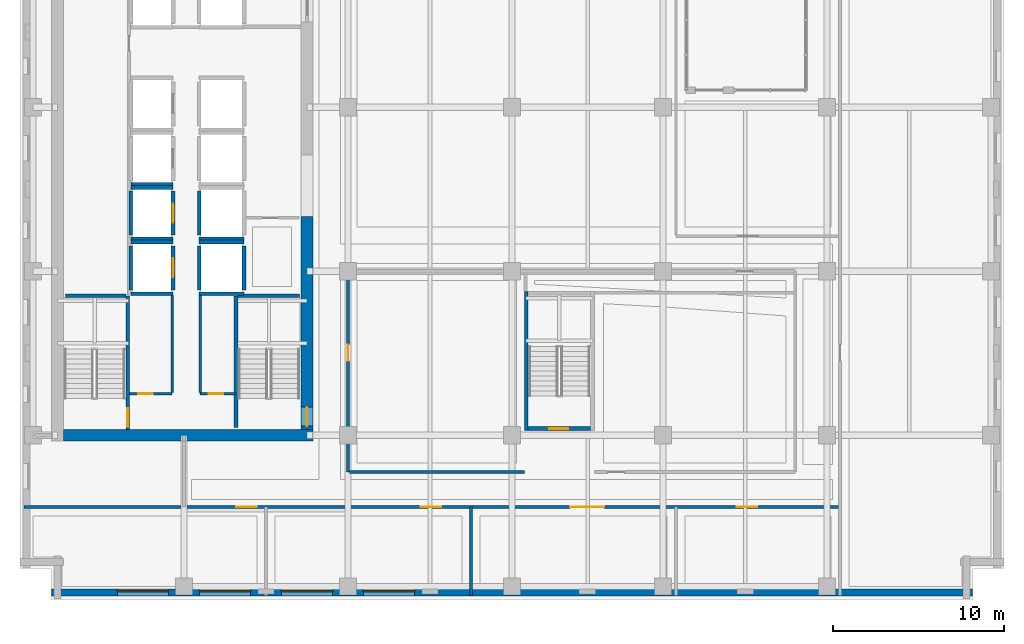
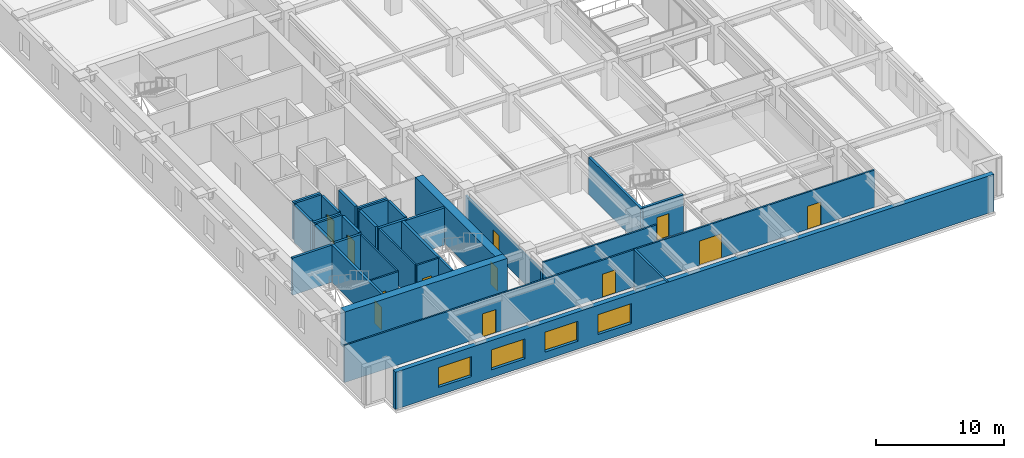
# One storey, part 4 of 16: 32 walls, 12 doors, 4 windows, 16 openings.
"""IFC4 building model written with IfcOpenShell, lengths in metres."""

from ifc_helpers import new_model, si_unit, direction, frame, frame_2d, origin, place, context, subcontext, project, spatial, rectangle, extrude, material, layer, layer_set, type_object, element, fill, save


model = new_model("IFC4")

# Units and contexts
model_context = context("Model", 3, precision=1e-05, world=origin(), true_north=direction((0.0, 1.0)))
body_context = subcontext(model_context, "Body", "Model", "MODEL_VIEW")
ifc_project = project(units=[si_unit("LENGTHUNIT", "METRE"), si_unit("AREAUNIT", "SQUARE_METRE"), si_unit("VOLUMEUNIT", "CUBIC_METRE"), si_unit("PLANEANGLEUNIT", "RADIAN"), si_unit("MASSUNIT", "GRAM", prefix="KILO")], contexts=[model_context])

# Site, building, storey
site_placement = place(None, origin())
site = spatial("IfcSite", under=ifc_project, at=site_placement, CompositionType="ELEMENT")
building_placement = place(site_placement, origin())
building = spatial("IfcBuilding", under=site, at=building_placement, Name="Norrvale University Quadrangle", CompositionType="ELEMENT")
storey_placement = place(building_placement, frame((0.0, 0.0, 112.800048828125)))
storey = spatial("IfcBuildingStorey", under=building, at=storey_placement, Name="L28", CompositionType="ELEMENT", Elevation=112.800048828125)

# Wall, openings, windows
ifc_material_1 = material(Name="Buff Norman Clay Brick Masonry", Category="masonry")
ifc_layer_1 = layer(ifc_material_1, 0.419921875, Name="Buff Norman Clay Brick Masonry")
ifc_layer_set_1 = layer_set([ifc_layer_1], Name="Buff Norman Clay Brick Masonry")
wall_type_1 = type_object("IfcWallType", Name="Wall Buff Brick 420", PredefinedType="SOLIDWALL", material=ifc_layer_set_1)
wall_1_placement = place(storey_placement, frame((1.840087890625, 0.389892578125, 0.0), z_axis=(0.0, 0.0, 1.0), x_axis=(1.0, 0.0, 0.0)))
wall_1 = element("IfcWall", 1, at=wall_1_placement, inside=storey, type_object=wall_type_1, Name="Exterior Brick Facade Wall L28-01.1", PredefinedType="SOLIDWALL", context=body_context, shape_type="SweptSolid", body=[
    extrude(rectangle(XDim=53.919921875, YDim=0.419921875, at=frame_2d((26.9599609375, 0.0))), origin(), (0.0, 0.0, 1.0), 3.5400390625),
])
opening_1_placement = place(wall_1_placement, frame((3.860107421875, 0.0, 0.75)))
opening_1 = element("IfcOpeningElement", 2, at=opening_1_placement, cuts=wall_1, Name="Opening W08", PredefinedType="OPENING", context=body_context, shape_type="SweptSolid", body=[
    extrude(rectangle(XDim=3.0, YDim=1.89990234375, at=frame_2d((1.5, 0.949951171875))), frame((0.0, 0.221923828125, 0.0), z_axis=(0.0, -1.0, 0.0), x_axis=(1.0, 0.0, 0.0)), (0.0, 0.0, 1.0), 0.44384765625),
])
opening_2_placement = place(wall_1_placement, frame((8.659912109375, 0.0, 0.75)))
opening_2 = element("IfcOpeningElement", 3, at=opening_2_placement, cuts=wall_1, Name="Opening W08", PredefinedType="OPENING", context=body_context, shape_type="SweptSolid", body=[
    extrude(rectangle(XDim=3.0, YDim=1.89990234375, at=frame_2d((1.5, 0.949951171875))), frame((0.0, 0.221923828125, 0.0), z_axis=(0.0, -1.0, 0.0), x_axis=(1.0, 0.0, 0.0)), (0.0, 0.0, 1.0), 0.44384765625),
])
opening_3_placement = place(wall_1_placement, frame((13.4599609375, 0.0, 0.75)))
opening_3 = element("IfcOpeningElement", 4, at=opening_3_placement, cuts=wall_1, Name="Opening W08", PredefinedType="OPENING", context=body_context, shape_type="SweptSolid", body=[
    extrude(rectangle(XDim=3.0, YDim=1.89990234375, at=frame_2d((1.5, 0.949951171875))), frame((0.0, 0.221923828125, 0.0), z_axis=(0.0, -1.0, 0.0), x_axis=(1.0, 0.0, 0.0)), (0.0, 0.0, 1.0), 0.44384765625),
])
opening_4_placement = place(wall_1_placement, frame((18.260009765625, 0.0, 0.75)))
opening_4 = element("IfcOpeningElement", 5, at=opening_4_placement, cuts=wall_1, Name="Opening W08", PredefinedType="OPENING", context=body_context, shape_type="SweptSolid", body=[
    extrude(rectangle(XDim=3.0, YDim=1.89990234375, at=frame_2d((1.5, 0.949951171875))), frame((0.0, 0.221923828125, 0.0), z_axis=(0.0, -1.0, 0.0), x_axis=(1.0, 0.0, 0.0)), (0.0, 0.0, 1.0), 0.44384765625),
])
ifc_material_2 = material(Name="Triple Low-E Argon Glazing", Category="glass")
window_type = type_object("IfcWindowType", Name="Window Lounge 3000x2500", PartitioningType="TRIPLE_PANEL_VERTICAL", PredefinedType="WINDOW", material=ifc_material_2)
window_1_placement = place(opening_1_placement, origin())
window_1 = element("IfcWindow", 6, at=window_1_placement, inside=storey, type_object=window_type, Name="Window Lounge 3000x2500 WIN-L28-E01-1-01", OverallHeight=1.89990234375, OverallWidth=3.0, PartitioningType="TRIPLE_PANEL_VERTICAL", PredefinedType="WINDOW", context=body_context, shape_type="SweptSolid", body=[
    extrude(rectangle(XDim=3.0, YDim=1.89990234375, at=frame_2d((1.5, 0.949951171875))), frame((0.0, 0.110107421875, 0.0), z_axis=(0.0, -1.0, 0.0), x_axis=(1.0, 0.0, 0.0)), (0.0, 0.0, 1.0), 0.06005859375),
])
fill(opening_1, window_1)
window_2_placement = place(opening_2_placement, origin())
window_2 = element("IfcWindow", 7, at=window_2_placement, inside=storey, type_object=window_type, Name="Window Lounge 3000x2500 WIN-L28-E01-1-02", OverallHeight=1.89990234375, OverallWidth=3.0, PartitioningType="TRIPLE_PANEL_VERTICAL", PredefinedType="WINDOW", context=body_context, shape_type="SweptSolid", body=[
    extrude(rectangle(XDim=3.0, YDim=1.89990234375, at=frame_2d((1.5, 0.949951171875))), frame((0.0, 0.110107421875, 0.0), z_axis=(0.0, -1.0, 0.0), x_axis=(1.0, 0.0, 0.0)), (0.0, 0.0, 1.0), 0.06005859375),
])
fill(opening_2, window_2)
window_3_placement = place(opening_3_placement, origin())
window_3 = element("IfcWindow", 8, at=window_3_placement, inside=storey, type_object=window_type, Name="Window Lounge 3000x2500 WIN-L28-E01-1-03", OverallHeight=1.89990234375, OverallWidth=3.0, PartitioningType="TRIPLE_PANEL_VERTICAL", PredefinedType="WINDOW", context=body_context, shape_type="SweptSolid", body=[
    extrude(rectangle(XDim=3.0, YDim=1.89990234375, at=frame_2d((1.5, 0.949951171875))), frame((0.0, 0.110107421875, 0.0), z_axis=(0.0, -1.0, 0.0), x_axis=(1.0, 0.0, 0.0)), (0.0, 0.0, 1.0), 0.06005859375),
])
fill(opening_3, window_3)
window_4_placement = place(opening_4_placement, origin())
window_4 = element("IfcWindow", 9, at=window_4_placement, inside=storey, type_object=window_type, Name="Window Lounge 3000x2500 WIN-L28-E01-1-04", OverallHeight=1.89990234375, OverallWidth=3.0, PartitioningType="TRIPLE_PANEL_VERTICAL", PredefinedType="WINDOW", context=body_context, shape_type="SweptSolid", body=[
    extrude(rectangle(XDim=3.0, YDim=1.89990234375, at=frame_2d((1.5, 0.949951171875))), frame((0.0, 0.110107421875, 0.0), z_axis=(0.0, -1.0, 0.0), x_axis=(1.0, 0.0, 0.0)), (0.0, 0.0, 1.0), 0.06005859375),
])
fill(opening_4, window_4)

# Wall
ifc_material_3 = material(Name="Concrete C60/75", Category="concrete")
ifc_layer_2 = layer(ifc_material_3, 0.699951171875, Name="Concrete C60/75")
ifc_layer_set_2 = layer_set([ifc_layer_2], Name="Concrete C60/75")
wall_type_2 = type_object("IfcWallType", Name="Wall Core 700", PredefinedType="SHEAR", material=ifc_layer_set_2)
wall_2_placement = place(storey_placement, frame((2.550048828125, 9.60009765625, 0.0), z_axis=(0.0, 0.0, 1.0), x_axis=(1.0, 0.0, 0.0)))
element("IfcWall", 10, at=wall_2_placement, inside=storey, type_object=wall_type_2, Name="Tower Core Shear Wall L28-S", PredefinedType="SHEAR", context=body_context, shape_type="SweptSolid", body=[
    extrude(rectangle(XDim=14.599853515625, YDim=0.699951171875, at=frame_2d((7.2998046875, 0.0))), origin(), (0.0, 0.0, 1.0), 3.5400390625),
])

# Wall, opening, door
wall_3_placement = place(storey_placement, frame((16.800048828125, 9.949951171875, 0.0), z_axis=(0.0, 0.0, 1.0), x_axis=(0.0, 1.0, 0.0)))
wall_3 = element("IfcWall", 11, at=wall_3_placement, inside=storey, type_object=wall_type_2, Name="Tower Core Shear Wall L28-E1", PredefinedType="SHEAR", context=body_context, shape_type="SweptSolid", body=[
    extrude(rectangle(XDim=12.449951171875, YDim=0.699951171875, at=frame_2d((6.22509765625, 0.0))), origin(), (0.0, 0.0, 1.0), 3.5400390625),
])
opening_5_placement = place(wall_3_placement, frame((0.18994140625, 0.0, 0.0)))
opening_5 = element("IfcOpeningElement", 12, at=opening_5_placement, cuts=wall_3, Name="Opening D02", PredefinedType="OPENING", context=body_context, shape_type="SweptSolid", body=[
    extrude(rectangle(XDim=1.10009765625, YDim=2.199951171875, at=frame_2d((0.550048828125, 1.10009765625))), frame((0.0, 0.362060546875, 0.0), z_axis=(0.0, -1.0, 0.0), x_axis=(1.0, 0.0, 0.0)), (0.0, 0.0, 1.0), 0.723876953125),
])
ifc_material_4 = material(Name="Hollow Steel 350W Fire Door", Category="steel")
door_type_1 = type_object("IfcDoorType", Name="Door Stair Exit 1100x2200", OperationType="NOTDEFINED", PredefinedType="DOOR", material=ifc_material_4)
door_1_placement = place(opening_5_placement, origin())
door_1 = element("IfcDoor", 13, at=door_1_placement, inside=storey, type_object=door_type_1, Name="Door Stair Exit 1100x2200 DR-L28-ST03", OperationType="SINGLE_SWING_LEFT", OverallHeight=2.199951171875, OverallWidth=1.10009765625, PredefinedType="DOOR", context=body_context, shape_type="SweptSolid", body=[
    extrude(rectangle(XDim=1.10009765625, YDim=2.199951171875, at=frame_2d((0.550048828125, 1.10009765625))), frame((0.0, 0.02490234375, 0.0), z_axis=(0.0, -1.0, 0.0), x_axis=(1.0, 0.0, 0.0)), (0.0, 0.0, 1.0), 0.050048828125),
])
fill(opening_5, door_1)

ifc_material_5 = material(Name="Fire-Rated Gypsum Stud Partition")
ifc_layer_3 = layer(ifc_material_5, 0.14990234375, Name="Fire-Rated Gypsum Stud Partition")
ifc_layer_set_3 = layer_set([ifc_layer_3], Name="Fire-Rated Gypsum Stud Partition")
wall_type_3 = type_object("IfcWallType", Name="Wall Gypsum Corridor 150", PredefinedType="PARTITIONING", material=ifc_layer_set_3)
wall_4_placement = place(storey_placement, frame((6.419921875, 12.02001953125, 0.0), z_axis=(0.0, 0.0, 1.0), x_axis=(1.0, 0.0, 0.0)))
wall_4 = element("IfcWall", 14, at=wall_4_placement, inside=storey, type_object=wall_type_3, Name="Interior Partition WL-L28-SC-NL", PredefinedType="PARTITIONING", context=body_context, shape_type="SweptSolid", body=[
    extrude(rectangle(XDim=2.47998046875, YDim=0.14990234375, at=frame_2d((1.239990234375, 0.0))), origin(), (0.0, 0.0, 1.0), 3.5400390625),
])
opening_6_placement = place(wall_4_placement, frame((0.5, 0.0, 0.0)))
opening_6 = element("IfcOpeningElement", 15, at=opening_6_placement, cuts=wall_4, Name="Opening D10", PredefinedType="OPENING", context=body_context, shape_type="SweptSolid", body=[
    extrude(rectangle(XDim=0.85009765625, YDim=2.10009765625, at=frame_2d((0.425048828125, 1.050048828125))), frame((0.0, 0.0869140625, 0.0), z_axis=(0.0, -1.0, 0.0), x_axis=(1.0, 0.0, 0.0)), (0.0, 0.0, 1.0), 0.173828125),
])
ifc_material_6 = material(Name="Hollow Steel 350W Riser Fire Door", Category="steel")
door_type_2 = type_object("IfcDoorType", Name="Door Riser 850x2100", OperationType="NOTDEFINED", PredefinedType="DOOR", material=ifc_material_6)
door_2_placement = place(opening_6_placement, origin())
door_2 = element("IfcDoor", 16, at=door_2_placement, inside=storey, type_object=door_type_2, Name="Door Riser 850x2100 DR-L28-ELEC", OperationType="SINGLE_SWING_LEFT", OverallHeight=2.10009765625, OverallWidth=0.85009765625, PredefinedType="DOOR", context=body_context, shape_type="SweptSolid", body=[
    extrude(rectangle(XDim=0.85009765625, YDim=2.10009765625, at=frame_2d((0.425048828125, 1.050048828125))), frame((0.0, 0.02490234375, 0.0), z_axis=(0.0, -1.0, 0.0), x_axis=(1.0, 0.0, 0.0)), (0.0, 0.0, 1.0), 0.050048828125),
])
fill(opening_6, door_2)

wall_5_placement = place(storey_placement, frame((10.550048828125, 12.02001953125, 0.0), z_axis=(0.0, 0.0, 1.0), x_axis=(1.0, 0.0, 0.0)))
wall_5 = element("IfcWall", 17, at=wall_5_placement, inside=storey, type_object=wall_type_3, Name="Interior Partition WL-L28-SC-NR", PredefinedType="PARTITIONING", context=body_context, shape_type="SweptSolid", body=[
    extrude(rectangle(XDim=2.079833984375, YDim=0.14990234375, at=frame_2d((1.0400390625, 0.0))), origin(), (0.0, 0.0, 1.0), 3.5400390625),
])
opening_7_placement = place(wall_5_placement, frame((0.5, 0.0, 0.0)))
opening_7 = element("IfcOpeningElement", 18, at=opening_7_placement, cuts=wall_5, Name="Opening D10", PredefinedType="OPENING", context=body_context, shape_type="SweptSolid", body=[
    extrude(rectangle(XDim=0.85009765625, YDim=2.10009765625, at=frame_2d((0.425048828125, 1.050048828125))), frame((0.0, 0.0869140625, 0.0), z_axis=(0.0, -1.0, 0.0), x_axis=(1.0, 0.0, 0.0)), (0.0, 0.0, 1.0), 0.173828125),
])
door_3_placement = place(opening_7_placement, origin())
door_3 = element("IfcDoor", 19, at=door_3_placement, inside=storey, type_object=door_type_2, Name="Door Riser 850x2100 DR-L28-IDF", OperationType="SINGLE_SWING_RIGHT", OverallHeight=2.10009765625, OverallWidth=0.85009765625, PredefinedType="DOOR", context=body_context, shape_type="SweptSolid", body=[
    extrude(rectangle(XDim=0.85009765625, YDim=2.10009765625, at=frame_2d((0.425048828125, 1.050048828125))), frame((0.0, 0.02490234375, 0.0), z_axis=(0.0, -1.0, 0.0), x_axis=(1.0, 0.0, 0.0)), (0.0, 0.0, 1.0), 0.050048828125),
])
fill(opening_7, door_3)

# Walls
for number, where, z_axis, x_axis, name in (
    (20, (8.89990234375, 12.094970703125, 0.0), (0.0, 0.0, 1.0), (0.0, 1.0, 0.0), "Interior Partition WL-L28-SC-WL"),
    (21, (10.550048828125, 12.094970703125, 0.0), (0.0, 0.0, 1.0), (0.0, 1.0, 0.0), "Interior Partition WL-L28-SC-WR"),
):
    element("IfcWall", number, at=place(storey_placement, frame(where, z_axis=z_axis, x_axis=x_axis)), inside=storey, type_object=wall_type_3, Name=name, PredefinedType="PARTITIONING", context=body_context, shape_type="SweptSolid", body=[
        extrude(rectangle(XDim=5.679931640625, YDim=0.14990234375, at=frame_2d((2.83984375, 0.0))), origin(), (0.0, 0.0, 1.0), 3.5400390625),
    ])

# Wall, openings, doors
wall_6_placement = place(storey_placement, frame((0.219970703125, 5.39990234375, 0.0), z_axis=(0.0, 0.0, 1.0), x_axis=(1.0, 0.0, 0.0)))
wall_6 = element("IfcWall", 22, at=wall_6_placement, inside=storey, type_object=wall_type_3, Name="Interior Partition WL-L28-SCW", PredefinedType="PARTITIONING", context=body_context, shape_type="SweptSolid", body=[
    extrude(rectangle(XDim=47.780029296875, YDim=0.14990234375, at=frame_2d((23.89013671875, 0.0))), origin(), (0.0, 0.0, 1.0), 3.5400390625),
])
opening_8_placement = place(wall_6_placement, frame((12.429931640625, 0.0, 0.0)))
opening_8 = element("IfcOpeningElement", 23, at=opening_8_placement, cuts=wall_6, Name="Opening D05", PredefinedType="OPENING", context=body_context, shape_type="SweptSolid", body=[
    extrude(rectangle(XDim=1.199951171875, YDim=2.199951171875, at=frame_2d((0.60009765625, 1.10009765625))), frame((0.0, 0.0869140625, 0.0), z_axis=(0.0, -1.0, 0.0), x_axis=(1.0, 0.0, 0.0)), (0.0, 0.0, 1.0), 0.173828125),
])
opening_9_placement = place(wall_6_placement, frame((23.22998046875, 0.0, 0.0)))
opening_9 = element("IfcOpeningElement", 24, at=opening_9_placement, cuts=wall_6, Name="Opening D05", PredefinedType="OPENING", context=body_context, shape_type="SweptSolid", body=[
    extrude(rectangle(XDim=1.199951171875, YDim=2.199951171875, at=frame_2d((0.60009765625, 1.10009765625))), frame((0.0, 0.0869140625, 0.0), z_axis=(0.0, -1.0, 0.0), x_axis=(1.0, 0.0, 0.0)), (0.0, 0.0, 1.0), 0.173828125),
])
opening_10_placement = place(wall_6_placement, frame((31.97998046875, 0.0, 0.0)))
opening_10 = element("IfcOpeningElement", 25, at=opening_10_placement, cuts=wall_6, Name="Opening D06", PredefinedType="OPENING", context=body_context, shape_type="SweptSolid", body=[
    extrude(rectangle(XDim=2.0, YDim=2.300048828125, at=frame_2d((1.0, 1.14990234375))), frame((0.0, 0.0869140625, 0.0), z_axis=(0.0, -1.0, 0.0), x_axis=(1.0, 0.0, 0.0)), (0.0, 0.0, 1.0), 0.173828125),
])
opening_11_placement = place(wall_6_placement, frame((41.72998046875, 0.0, 0.0)))
opening_11 = element("IfcOpeningElement", 26, at=opening_11_placement, cuts=wall_6, Name="Opening D05", PredefinedType="OPENING", context=body_context, shape_type="SweptSolid", body=[
    extrude(rectangle(XDim=1.199951171875, YDim=2.199951171875, at=frame_2d((0.60009765625, 1.10009765625))), frame((0.0, 0.0869140625, 0.0), z_axis=(0.0, -1.0, 0.0), x_axis=(1.0, 0.0, 0.0)), (0.0, 0.0, 1.0), 0.173828125),
])
ifc_material_7 = material(Name="Acoustic Oak Classroom Door", Category="wood")
door_type_3 = type_object("IfcDoorType", Name="Door Classroom 1200x2200", OperationType="NOTDEFINED", PredefinedType="DOOR", material=ifc_material_7)
door_4_placement = place(opening_8_placement, origin())
door_4 = element("IfcDoor", 27, at=door_4_placement, inside=storey, type_object=door_type_3, Name="Door Classroom 1200x2200 DR-L28-S01", OperationType="SINGLE_SWING_LEFT", OverallHeight=2.199951171875, OverallWidth=1.199951171875, PredefinedType="DOOR", context=body_context, shape_type="SweptSolid", body=[
    extrude(rectangle(XDim=1.199951171875, YDim=2.199951171875, at=frame_2d((0.60009765625, 1.10009765625))), frame((0.0, 0.02490234375, 0.0), z_axis=(0.0, -1.0, 0.0), x_axis=(1.0, 0.0, 0.0)), (0.0, 0.0, 1.0), 0.050048828125),
])
fill(opening_8, door_4)
door_5_placement = place(opening_9_placement, origin())
door_5 = element("IfcDoor", 28, at=door_5_placement, inside=storey, type_object=door_type_3, Name="Door Classroom 1200x2200 DR-L28-S02", OperationType="SINGLE_SWING_RIGHT", OverallHeight=2.199951171875, OverallWidth=1.199951171875, PredefinedType="DOOR", context=body_context, shape_type="SweptSolid", body=[
    extrude(rectangle(XDim=1.199951171875, YDim=2.199951171875, at=frame_2d((0.60009765625, 1.10009765625))), frame((0.0, 0.02490234375, 0.0), z_axis=(0.0, -1.0, 0.0), x_axis=(1.0, 0.0, 0.0)), (0.0, 0.0, 1.0), 0.050048828125),
])
fill(opening_9, door_5)
door_6_placement = place(opening_11_placement, origin())
door_6 = element("IfcDoor", 29, at=door_6_placement, inside=storey, type_object=door_type_3, Name="Door Classroom 1200x2200 DR-L28-S04", OperationType="SINGLE_SWING_RIGHT", OverallHeight=2.199951171875, OverallWidth=1.199951171875, PredefinedType="DOOR", context=body_context, shape_type="SweptSolid", body=[
    extrude(rectangle(XDim=1.199951171875, YDim=2.199951171875, at=frame_2d((0.60009765625, 1.10009765625))), frame((0.0, 0.02490234375, 0.0), z_axis=(0.0, -1.0, 0.0), x_axis=(1.0, 0.0, 0.0)), (0.0, 0.0, 1.0), 0.050048828125),
])
fill(opening_11, door_6)
ifc_material_8 = material(Name="Acoustic Oak Double Door", Category="wood")
door_type_4 = type_object("IfcDoorType", Name="Door Lecture Dbl 2000x2300", OperationType="DOUBLE_SWING_LEFT", PredefinedType="DOOR", material=ifc_material_8)
door_7_placement = place(opening_10_placement, origin())
door_7 = element("IfcDoor", 30, at=door_7_placement, inside=storey, type_object=door_type_4, Name="Door Lecture Dbl 2000x2300 DR-L28-S03", OperationType="DOUBLE_SWING_LEFT", OverallHeight=2.300048828125, OverallWidth=2.0, PredefinedType="DOOR", context=body_context, shape_type="SweptSolid", body=[
    extrude(rectangle(XDim=2.0, YDim=2.300048828125, at=frame_2d((1.0, 1.14990234375))), frame((0.0, 0.02490234375, 0.0), z_axis=(0.0, -1.0, 0.0), x_axis=(1.0, 0.0, 0.0)), (0.0, 0.0, 1.0), 0.050048828125),
])
fill(opening_10, door_7)

# Wall, opening, door
wall_7_placement = place(storey_placement, frame((19.199951171875, 7.449951171875, 0.0), z_axis=(0.0, 0.0, 1.0), x_axis=(0.0, 1.0, 0.0)))
wall_7 = element("IfcWall", 31, at=wall_7_placement, inside=storey, type_object=wall_type_3, Name="Interior Partition WL-L28-ISLW", PredefinedType="PARTITIONING", context=body_context, shape_type="SweptSolid", body=[
    extrude(rectangle(XDim=11.75, YDim=0.14990234375, at=frame_2d((5.875, 0.0))), origin(), (0.0, 0.0, 1.0), 2.844970703125),
])
opening_12_placement = place(wall_7_placement, frame((6.5, 0.0, 0.0)))
opening_12 = element("IfcOpeningElement", 32, at=opening_12_placement, cuts=wall_7, Name="Opening D07", PredefinedType="OPENING", context=body_context, shape_type="SweptSolid", body=[
    extrude(rectangle(XDim=0.949951171875, YDim=2.14990234375, at=frame_2d((0.47509765625, 1.074951171875))), frame((0.0, 0.0869140625, 0.0), z_axis=(0.0, -1.0, 0.0), x_axis=(1.0, 0.0, 0.0)), (0.0, 0.0, 1.0), 0.173828125),
])
ifc_material_9 = material(Name="Solid-Core Maple Door", Category="wood")
door_type_5 = type_object("IfcDoorType", Name="Door Office 950x2150", OperationType="NOTDEFINED", PredefinedType="DOOR", material=ifc_material_9)
door_8_placement = place(opening_12_placement, origin())
door_8 = element("IfcDoor", 33, at=door_8_placement, inside=storey, type_object=door_type_5, Name="Door Office 950x2150 DR-L28-IW1", OperationType="SINGLE_SWING_LEFT", OverallHeight=2.14990234375, OverallWidth=0.949951171875, PredefinedType="DOOR", context=body_context, shape_type="SweptSolid", body=[
    extrude(rectangle(XDim=0.949951171875, YDim=2.14990234375, at=frame_2d((0.47509765625, 1.074951171875))), frame((0.0, 0.02490234375, 0.0), z_axis=(0.0, -1.0, 0.0), x_axis=(1.0, 0.0, 0.0)), (0.0, 0.0, 1.0), 0.050048828125),
])
fill(opening_12, door_8)

# Walls
wall_8_placement = place(storey_placement, frame((19.280029296875, 7.449951171875, 0.0), z_axis=(0.0, 0.0, 1.0), x_axis=(1.0, 0.0, 0.0)))
element("IfcWall", 34, at=wall_8_placement, inside=storey, type_object=wall_type_3, Name="Interior Partition WL-L28-ISLS1", PredefinedType="PARTITIONING", context=body_context, shape_type="SweptSolid", body=[
    extrude(rectangle(XDim=10.244873046875, YDim=0.14990234375, at=frame_2d((5.12255859375, 0.0))), origin(), (0.0, 0.0, 1.0), 3.5400390625),
])
ifc_material_10 = material(Name="Acoustic Double-Stud Gypsum Partition")
ifc_layer_4 = layer(ifc_material_10, 0.179931640625, Name="Acoustic Double-Stud Gypsum Partition")
ifc_layer_set_4 = layer_set([ifc_layer_4], Name="Acoustic Double-Stud Gypsum Partition")
wall_type_4 = type_object("IfcWallType", Name="Wall Gypsum Lecture 180", PredefinedType="PARTITIONING", material=ifc_layer_set_4)
wall_9_placement = place(storey_placement, frame((26.39990234375, 0.219970703125, 0.0), z_axis=(0.0, 0.0, 1.0), x_axis=(0.0, 1.0, 0.0)))
element("IfcWall", 35, at=wall_9_placement, inside=storey, type_object=wall_type_4, Name="Interior Partition WL-L28-SP02", PredefinedType="PARTITIONING", context=body_context, shape_type="SweptSolid", body=[
    extrude(rectangle(XDim=5.179931640625, YDim=0.179931640625, at=frame_2d((2.58984375, 0.0))), origin(), (0.0, 0.0, 1.0), 3.5400390625),
])

# Wall, opening, door
ifc_material_11 = material(Name="Concrete Blockwork 20 MPa Fire Shaft", Category="masonry")
ifc_layer_5 = layer(ifc_material_11, 0.219970703125, Name="Concrete Blockwork 20 MPa Fire Shaft")
ifc_layer_set_5 = layer_set([ifc_layer_5], Name="Concrete Blockwork 20 MPa Fire Shaft")
wall_type_5 = type_object("IfcWallType", Name="Wall Shaft 220", PredefinedType="SOLIDWALL", material=ifc_layer_set_5)
wall_10_placement = place(storey_placement, frame((6.31005859375, 9.949951171875, 0.0), z_axis=(0.0, 0.0, 1.0), x_axis=(0.0, 1.0, 0.0)))
wall_10 = element("IfcWall", 36, at=wall_10_placement, inside=storey, type_object=wall_type_5, Name="Stair ST-01 East Shaft Wall L28", PredefinedType="SOLIDWALL", context=body_context, shape_type="SweptSolid", body=[
    extrude(rectangle(XDim=7.81005859375, YDim=0.219970703125, at=frame_2d((3.905029296875, 0.0))), origin(), (0.0, 0.0, 1.0), 3.5400390625),
])
opening_13_placement = place(wall_10_placement, frame((0.139892578125, 0.0, 0.0)))
opening_13 = element("IfcOpeningElement", 37, at=opening_13_placement, cuts=wall_10, Name="Opening D02", PredefinedType="OPENING", context=body_context, shape_type="SweptSolid", body=[
    extrude(rectangle(XDim=1.10009765625, YDim=2.199951171875, at=frame_2d((0.550048828125, 1.10009765625))), frame((0.0, 0.1220703125, 0.0), z_axis=(0.0, -1.0, 0.0), x_axis=(1.0, 0.0, 0.0)), (0.0, 0.0, 1.0), 0.243896484375),
])
door_9_placement = place(opening_13_placement, origin())
door_9 = element("IfcDoor", 38, at=door_9_placement, inside=storey, type_object=door_type_1, Name="Door Stair Exit 1100x2200 DR-L28-ST01", OperationType="SINGLE_SWING_LEFT", OverallHeight=2.199951171875, OverallWidth=1.10009765625, PredefinedType="DOOR", context=body_context, shape_type="SweptSolid", body=[
    extrude(rectangle(XDim=1.10009765625, YDim=2.199951171875, at=frame_2d((0.550048828125, 1.10009765625))), frame((0.0, 0.02490234375, 0.0), z_axis=(0.0, -1.0, 0.0), x_axis=(1.0, 0.0, 0.0)), (0.0, 0.0, 1.0), 0.050048828125),
])
fill(opening_13, door_9)

# Walls
wall_11_placement = place(storey_placement, frame((2.64990234375, 17.760009765625, 0.0), z_axis=(0.0, 0.0, 1.0), x_axis=(1.0, 0.0, 0.0)))
element("IfcWall", 39, at=wall_11_placement, inside=storey, type_object=wall_type_5, Name="Stair ST-01 North Shaft Wall L28", PredefinedType="SOLIDWALL", context=body_context, shape_type="SweptSolid", body=[
    extrude(rectangle(XDim=3.550048828125, YDim=0.219970703125, at=frame_2d((1.77490234375, 0.0))), origin(), (0.0, 0.0, 1.0), 3.5400390625),
])
wall_12_placement = place(storey_placement, frame((12.639892578125, 10.050048828125, 0.0), z_axis=(0.0, 0.0, 1.0), x_axis=(0.0, 1.0, 0.0)))
element("IfcWall", 40, at=wall_12_placement, inside=storey, type_object=wall_type_5, Name="Stair ST-03 West Shaft Wall L28", PredefinedType="SOLIDWALL", context=body_context, shape_type="SweptSolid", body=[
    extrude(rectangle(XDim=7.7099609375, YDim=0.219970703125, at=frame_2d((3.85498046875, 0.0))), origin(), (0.0, 0.0, 1.0), 3.5400390625),
])
wall_13_placement = place(storey_placement, frame((12.75, 17.760009765625, 0.0), z_axis=(0.0, 0.0, 1.0), x_axis=(1.0, 0.0, 0.0)))
element("IfcWall", 41, at=wall_13_placement, inside=storey, type_object=wall_type_5, Name="Stair ST-03 North Shaft Wall L28", PredefinedType="SOLIDWALL", context=body_context, shape_type="SweptSolid", body=[
    extrude(rectangle(XDim=3.60009765625, YDim=0.219970703125, at=frame_2d((1.800048828125, 0.0))), origin(), (0.0, 0.0, 1.0), 3.5400390625),
])

# Wall, opening, door
wall_14_placement = place(storey_placement, frame((29.75, 9.989990234375, 0.0), z_axis=(0.0, 0.0, 1.0), x_axis=(1.0, 0.0, 0.0)))
wall_14 = element("IfcWall", 42, at=wall_14_placement, inside=storey, type_object=wall_type_5, Name="Stair ST-04 South Shaft Wall L28", PredefinedType="SOLIDWALL", context=body_context, shape_type="SweptSolid", body=[
    extrude(rectangle(XDim=3.64990234375, YDim=0.219970703125, at=frame_2d((1.824951171875, 0.0))), origin(), (0.0, 0.0, 1.0), 3.5400390625),
])
opening_14_placement = place(wall_14_placement, frame((1.239990234375, 0.0, 0.0)))
opening_14 = element("IfcOpeningElement", 43, at=opening_14_placement, cuts=wall_14, Name="Opening D02", PredefinedType="OPENING", context=body_context, shape_type="SweptSolid", body=[
    extrude(rectangle(XDim=1.10009765625, YDim=2.199951171875, at=frame_2d((0.550048828125, 1.10009765625))), frame((0.0, 0.1220703125, 0.0), z_axis=(0.0, -1.0, 0.0), x_axis=(1.0, 0.0, 0.0)), (0.0, 0.0, 1.0), 0.243896484375),
])
door_10_placement = place(opening_14_placement, origin())
door_10 = element("IfcDoor", 44, at=door_10_placement, inside=storey, type_object=door_type_1, Name="Door Stair Exit 1100x2200 DR-L28-ST04", OperationType="SINGLE_SWING_LEFT", OverallHeight=2.199951171875, OverallWidth=1.10009765625, PredefinedType="DOOR", context=body_context, shape_type="SweptSolid", body=[
    extrude(rectangle(XDim=1.10009765625, YDim=2.199951171875, at=frame_2d((0.550048828125, 1.10009765625))), frame((0.0, 0.02490234375, 0.0), z_axis=(0.0, -1.0, 0.0), x_axis=(1.0, 0.0, 0.0)), (0.0, 0.0, 1.0), 0.050048828125),
])
fill(opening_14, door_10)

# Walls
wall_15_placement = place(storey_placement, frame((29.639892578125, 9.8798828125, 0.0), z_axis=(0.0, 0.0, 1.0), x_axis=(0.0, 1.0, 0.0)))
element("IfcWall", 45, at=wall_15_placement, inside=storey, type_object=wall_type_5, Name="Stair ST-04 West Shaft Wall L28", PredefinedType="SOLIDWALL", context=body_context, shape_type="SweptSolid", body=[
    extrude(rectangle(XDim=8.14013671875, YDim=0.219970703125, at=frame_2d((4.070068359375, 0.0))), origin(), (0.0, 0.0, 1.0), 3.5400390625),
])
wall_16_placement = place(storey_placement, frame((6.489990234375, 18.110107421875, 0.0), z_axis=(0.0, 0.0, 1.0), x_axis=(0.0, 1.0, 0.0)))
element("IfcWall", 46, at=wall_16_placement, inside=storey, type_object=wall_type_5, Name="Hoistway PL-01 West Wall L28", PredefinedType="SOLIDWALL", context=body_context, shape_type="SweptSolid", body=[
    extrude(rectangle(XDim=2.579833984375, YDim=0.219970703125, at=frame_2d((1.2900390625, 0.0))), origin(), (0.0, 0.0, 1.0), 3.5400390625),
])

# Wall, opening, door
wall_17_placement = place(storey_placement, frame((8.9599609375, 18.110107421875, 0.0), z_axis=(0.0, 0.0, 1.0), x_axis=(0.0, 1.0, 0.0)))
wall_17 = element("IfcWall", 47, at=wall_17_placement, inside=storey, type_object=wall_type_5, Name="Hoistway PL-01 East Wall L28", PredefinedType="SOLIDWALL", context=body_context, shape_type="SweptSolid", body=[
    extrude(rectangle(XDim=2.579833984375, YDim=0.219970703125, at=frame_2d((1.2900390625, 0.0))), origin(), (0.0, 0.0, 1.0), 3.5400390625),
])
opening_15_placement = place(wall_17_placement, frame((0.739990234375, 0.0, 0.0)))
opening_15 = element("IfcOpeningElement", 48, at=opening_15_placement, cuts=wall_17, Name="Opening LD1", PredefinedType="OPENING", context=body_context, shape_type="SweptSolid", body=[
    extrude(rectangle(XDim=1.10009765625, YDim=2.199951171875, at=frame_2d((0.550048828125, 1.10009765625))), frame((0.0, 0.1220703125, 0.0), z_axis=(0.0, -1.0, 0.0), x_axis=(1.0, 0.0, 0.0)), (0.0, 0.0, 1.0), 0.243896484375),
])
ifc_material_12 = material(Name="Stainless Steel 316L Lift Landing Door", Category="steel")
door_type_6 = type_object("IfcDoorType", Name="Door Lift Landing 1100x2200", OperationType="DOUBLE_DOOR_SLIDING", PredefinedType="DOOR", material=ifc_material_12)
door_11_placement = place(opening_15_placement, origin())
door_11 = element("IfcDoor", 49, at=door_11_placement, inside=storey, type_object=door_type_6, Name="Elevator Landing Door DR-L28-PL-01", OperationType="DOUBLE_DOOR_SLIDING", OverallHeight=2.199951171875, OverallWidth=1.10009765625, PredefinedType="DOOR", context=body_context, shape_type="SweptSolid", body=[
    extrude(rectangle(XDim=1.10009765625, YDim=2.199951171875, at=frame_2d((0.550048828125, 1.10009765625))), frame((0.0, 0.02490234375, 0.0), z_axis=(0.0, -1.0, 0.0), x_axis=(1.0, 0.0, 0.0)), (0.0, 0.0, 1.0), 0.050048828125),
])
fill(opening_15, door_11)

# Walls
for number, where, z_axis, x_axis, name in (
    (50, (6.489990234375, 17.889892578125, 0.0), (0.0, 0.0, 1.0), (1.0, 0.0, 0.0), "Hoistway PL-01 South Wall L28"),
    (51, (6.489990234375, 20.909912109375, 0.0), (0.0, 0.0, 1.0), (1.0, 0.0, 0.0), "Hoistway PL-01 North Wall L28"),
):
    element("IfcWall", number, at=place(storey_placement, frame(where, z_axis=z_axis, x_axis=x_axis)), inside=storey, type_object=wall_type_5, Name=name, PredefinedType="SOLIDWALL", context=body_context, shape_type="SweptSolid", body=[
        extrude(rectangle(XDim=2.469970703125, YDim=0.219970703125, at=frame_2d((1.23486328125, 0.0))), origin(), (0.0, 0.0, 1.0), 3.5400390625),
    ])
wall_18_placement = place(storey_placement, frame((6.489990234375, 21.31005859375, 0.0), z_axis=(0.0, 0.0, 1.0), x_axis=(0.0, 1.0, 0.0)))
element("IfcWall", 52, at=wall_18_placement, inside=storey, type_object=wall_type_5, Name="Hoistway PL-02 West Wall L28", PredefinedType="SOLIDWALL", context=body_context, shape_type="SweptSolid", body=[
    extrude(rectangle(XDim=2.579833984375, YDim=0.219970703125, at=frame_2d((1.2900390625, 0.0))), origin(), (0.0, 0.0, 1.0), 3.5400390625),
])

# Wall, opening, door
wall_19_placement = place(storey_placement, frame((8.9599609375, 21.31005859375, 0.0), z_axis=(0.0, 0.0, 1.0), x_axis=(0.0, 1.0, 0.0)))
wall_19 = element("IfcWall", 53, at=wall_19_placement, inside=storey, type_object=wall_type_5, Name="Hoistway PL-02 East Wall L28", PredefinedType="SOLIDWALL", context=body_context, shape_type="SweptSolid", body=[
    extrude(rectangle(XDim=2.579833984375, YDim=0.219970703125, at=frame_2d((1.2900390625, 0.0))), origin(), (0.0, 0.0, 1.0), 3.5400390625),
])
opening_16_placement = place(wall_19_placement, frame((0.739990234375, 0.0, 0.0)))
opening_16 = element("IfcOpeningElement", 54, at=opening_16_placement, cuts=wall_19, Name="Opening LD1", PredefinedType="OPENING", context=body_context, shape_type="SweptSolid", body=[
    extrude(rectangle(XDim=1.10009765625, YDim=2.199951171875, at=frame_2d((0.550048828125, 1.10009765625))), frame((0.0, 0.1220703125, 0.0), z_axis=(0.0, -1.0, 0.0), x_axis=(1.0, 0.0, 0.0)), (0.0, 0.0, 1.0), 0.243896484375),
])
door_12_placement = place(opening_16_placement, origin())
door_12 = element("IfcDoor", 55, at=door_12_placement, inside=storey, type_object=door_type_6, Name="Elevator Landing Door DR-L28-PL-02", OperationType="DOUBLE_DOOR_SLIDING", OverallHeight=2.199951171875, OverallWidth=1.10009765625, PredefinedType="DOOR", context=body_context, shape_type="SweptSolid", body=[
    extrude(rectangle(XDim=1.10009765625, YDim=2.199951171875, at=frame_2d((0.550048828125, 1.10009765625))), frame((0.0, 0.02490234375, 0.0), z_axis=(0.0, -1.0, 0.0), x_axis=(1.0, 0.0, 0.0)), (0.0, 0.0, 1.0), 0.050048828125),
])
fill(opening_16, door_12)

# Walls
for number, where, z_axis, x_axis, name in (
    (56, (6.489990234375, 21.090087890625, 0.0), (0.0, 0.0, 1.0), (1.0, 0.0, 0.0), "Hoistway PL-02 South Wall L28"),
    (57, (6.489990234375, 24.110107421875, 0.0), (0.0, 0.0, 1.0), (1.0, 0.0, 0.0), "Hoistway PL-02 North Wall L28"),
    (58, (6.489990234375, 24.2900390625, 0.0), (0.0, 0.0, 1.0), (1.0, 0.0, 0.0), "Hoistway PL-03 South Wall L28"),
):
    element("IfcWall", number, at=place(storey_placement, frame(where, z_axis=z_axis, x_axis=x_axis)), inside=storey, type_object=wall_type_5, Name=name, PredefinedType="SOLIDWALL", context=body_context, shape_type="SweptSolid", body=[
        extrude(rectangle(XDim=2.469970703125, YDim=0.219970703125, at=frame_2d((1.23486328125, 0.0))), origin(), (0.0, 0.0, 1.0), 3.5400390625),
    ])
for number, where, z_axis, x_axis, name in (
    (59, (10.489990234375, 18.110107421875, 0.0), (0.0, 0.0, 1.0), (0.0, 1.0, 0.0), "Hoistway PL-05 West Wall L28"),
    (60, (13.110107421875, 18.110107421875, 0.0), (0.0, 0.0, 1.0), (0.0, 1.0, 0.0), "Hoistway PL-05 East Wall L28"),
):
    element("IfcWall", number, at=place(storey_placement, frame(where, z_axis=z_axis, x_axis=x_axis)), inside=storey, type_object=wall_type_5, Name=name, PredefinedType="SOLIDWALL", context=body_context, shape_type="SweptSolid", body=[
        extrude(rectangle(XDim=2.579833984375, YDim=0.219970703125, at=frame_2d((1.2900390625, 0.0))), origin(), (0.0, 0.0, 1.0), 3.5400390625),
    ])
for number, where, z_axis, x_axis, name in (
    (61, (10.489990234375, 17.889892578125, 0.0), (0.0, 0.0, 1.0), (1.0, 0.0, 0.0), "Hoistway PL-05 South Wall L28"),
    (62, (10.489990234375, 20.909912109375, 0.0), (0.0, 0.0, 1.0), (1.0, 0.0, 0.0), "Hoistway PL-05 North Wall L28"),
):
    element("IfcWall", number, at=place(storey_placement, frame(where, z_axis=z_axis, x_axis=x_axis)), inside=storey, type_object=wall_type_5, Name=name, PredefinedType="SOLIDWALL", context=body_context, shape_type="SweptSolid", body=[
        extrude(rectangle(XDim=2.6201171875, YDim=0.219970703125, at=frame_2d((1.31005859375, 0.0))), origin(), (0.0, 0.0, 1.0), 3.5400390625),
    ])
wall_20_placement = place(storey_placement, frame((10.489990234375, 21.31005859375, 0.0), z_axis=(0.0, 0.0, 1.0), x_axis=(0.0, 1.0, 0.0)))
element("IfcWall", 63, at=wall_20_placement, inside=storey, type_object=wall_type_5, Name="Hoistway PL-06 West Wall L28", PredefinedType="SOLIDWALL", context=body_context, shape_type="SweptSolid", body=[
    extrude(rectangle(XDim=2.579833984375, YDim=0.219970703125, at=frame_2d((1.2900390625, 0.0))), origin(), (0.0, 0.0, 1.0), 3.5400390625),
])
wall_21_placement = place(storey_placement, frame((10.489990234375, 21.090087890625, 0.0), z_axis=(0.0, 0.0, 1.0), x_axis=(1.0, 0.0, 0.0)))
element("IfcWall", 64, at=wall_21_placement, inside=storey, type_object=wall_type_5, Name="Hoistway PL-06 South Wall L28", PredefinedType="SOLIDWALL", context=body_context, shape_type="SweptSolid", body=[
    extrude(rectangle(XDim=2.6201171875, YDim=0.219970703125, at=frame_2d((1.31005859375, 0.0))), origin(), (0.0, 0.0, 1.0), 3.5400390625),
])

save(model, "model.ifc")
